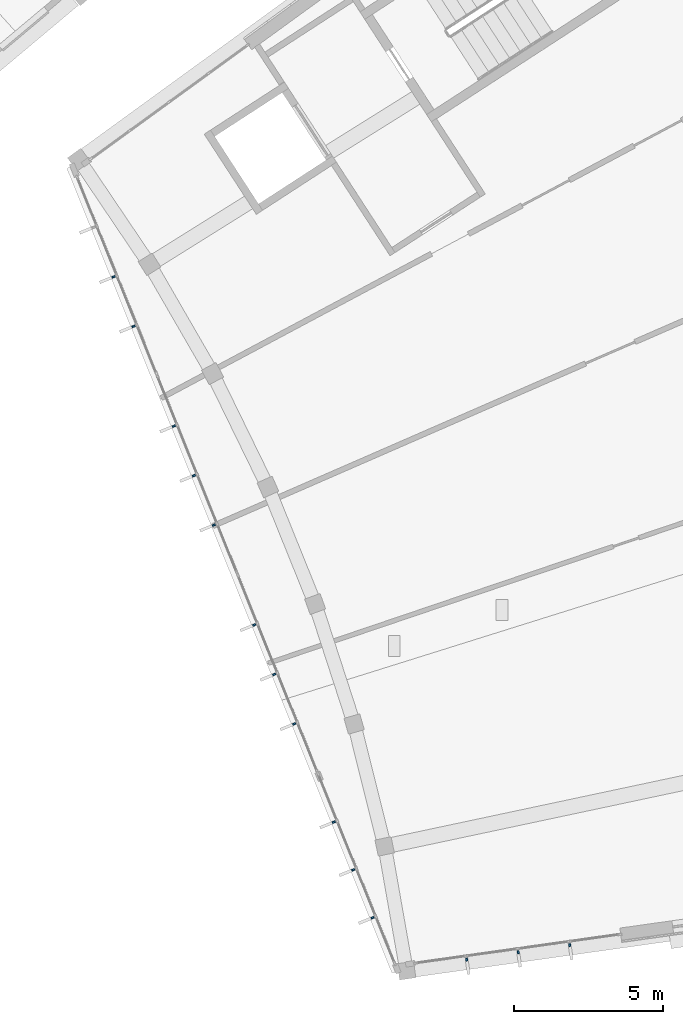
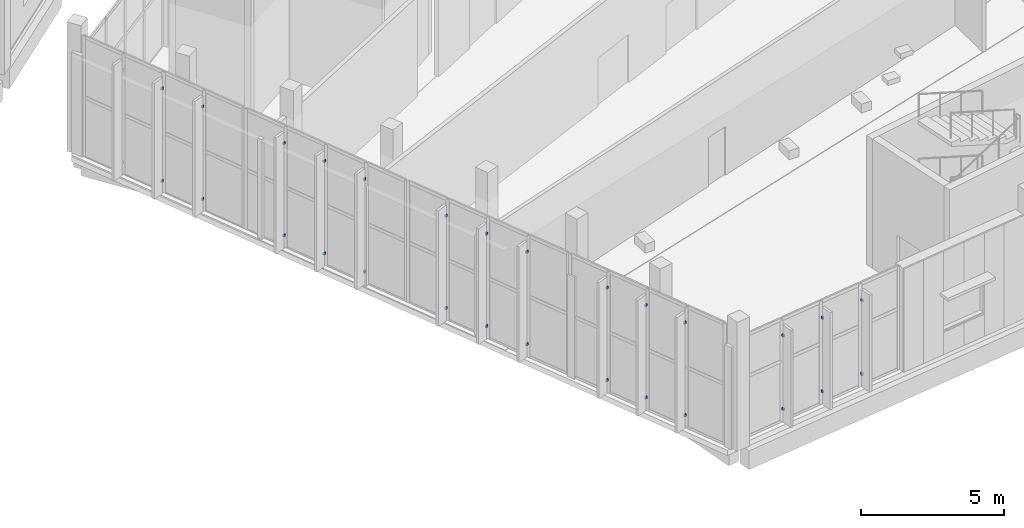
# One storey, part 54 of 87: 28 discrete accessories.
"""IFC4 building model written with IfcOpenShell, lengths in metres."""

from ifc_helpers import new_model, si_unit, direction, frame, origin, origin_2d, place, context, subcontext, project, spatial, rectangle, extrude, material, type_object, element, save


model = new_model("IFC4")

# Units and contexts
model_context = context("Model", 3, precision=1e-05, world=origin(), true_north=direction((0.0, 1.0)))
body_context = subcontext(model_context, "Body", "Model", "MODEL_VIEW")
ifc_project = project(units=[si_unit("LENGTHUNIT", "METRE"), si_unit("AREAUNIT", "SQUARE_METRE"), si_unit("VOLUMEUNIT", "CUBIC_METRE"), si_unit("PLANEANGLEUNIT", "RADIAN"), si_unit("MASSUNIT", "GRAM", prefix="KILO")], contexts=[model_context])

# Site, building, storey
site_placement = place(None, origin())
site = spatial("IfcSite", under=ifc_project, at=site_placement, CompositionType="ELEMENT")
building_placement = place(site_placement, origin())
building = spatial("IfcBuilding", under=site, at=building_placement, Name="Lunette Opera House", CompositionType="ELEMENT")
storey_placement = place(building_placement, frame((0.0, 0.0, 11.5)))
storey = spatial("IfcBuildingStorey", under=building, at=storey_placement, Name="L02", CompositionType="ELEMENT", Elevation=11.5)

# Discrete accessories
ifc_material = material(Name="Galvanised steel", Category="steel")
discrete_accessory_type = type_object("IfcDiscreteAccessoryType", Name="FIN BRACKET STEEL", PredefinedType="BRACKET", material=ifc_material)
for number, where, z_axis, x_axis, name in (
    (1, (146.10302734375, 31.64208984375, 0.56494140625), (0.0, 0.0, 1.0), (-0.927168162269, -0.374645430874, 0.0), "Fin bracket SB-X2013 2 1"),
    (2, (146.10302734375, 31.64208984375, 4.5), (0.0, 0.0, 1.0), (-0.927168162269, -0.374645430874, 0.0), "Fin bracket SB-X2013 2 2"),
    (3, (146.77197265625, 29.985107421875, 0.56494140625), (0.0, 0.0, 1.0), (-0.927168162269, -0.374645430874, 0.0), "Fin bracket SB-X2013 3 1"),
    (4, (146.77197265625, 29.985107421875, 4.5), (0.0, 0.0, 1.0), (-0.927168162269, -0.374645430874, 0.0), "Fin bracket SB-X2013 3 2"),
    (5, (148.1220703125, 26.64501953125, 0.56494140625), (0.0, 0.0, 1.0), (-0.927187777387, -0.374596883949, 0.0), "Fin bracket SB-X2014 1 1"),
    (6, (148.1220703125, 26.64501953125, 4.5), (0.0, 0.0, 1.0), (-0.927187777387, -0.374596883949, 0.0), "Fin bracket SB-X2014 1 2"),
    (7, (148.791015625, 24.988037109375, 0.56494140625), (0.0, 0.0, 1.0), (-0.927187777387, -0.374596883949, 0.0), "Fin bracket SB-X2014 2 1"),
    (8, (148.791015625, 24.988037109375, 4.5), (0.0, 0.0, 1.0), (-0.927187777387, -0.374596883949, 0.0), "Fin bracket SB-X2014 2 2"),
    (9, (149.4599609375, 23.33203125, 0.56494140625), (0.0, 0.0, 1.0), (-0.927187777387, -0.374596883949, 0.0), "Fin bracket SB-X2014 3 1"),
    (10, (149.4599609375, 23.33203125, 4.5), (0.0, 0.0, 1.0), (-0.927187777387, -0.374596883949, 0.0), "Fin bracket SB-X2014 3 2"),
    (11, (150.81005859375, 19.990966796875, 0.56494140625), (0.0, 0.0, 1.0), (-0.927168162269, -0.374645430874, 0.0), "Fin bracket SB-X2015 1 1"),
    (12, (150.81005859375, 19.990966796875, 4.5), (0.0, 0.0, 1.0), (-0.927168162269, -0.374645430874, 0.0), "Fin bracket SB-X2015 1 2"),
    (13, (151.47900390625, 18.3349609375, 0.56494140625), (0.0, 0.0, 1.0), (-0.927168162269, -0.374645430874, 0.0), "Fin bracket SB-X2015 2 1"),
    (14, (151.47900390625, 18.3349609375, 4.5), (0.0, 0.0, 1.0), (-0.927168162269, -0.374645430874, 0.0), "Fin bracket SB-X2015 2 2"),
    (15, (152.14794921875, 16.677978515625, 0.56494140625), (0.0, 0.0, 1.0), (-0.927168162269, -0.374645430874, 0.0), "Fin bracket SB-X2015 3 1"),
    (16, (152.14794921875, 16.677978515625, 4.5), (0.0, 0.0, 1.0), (-0.927168162269, -0.374645430874, 0.0), "Fin bracket SB-X2015 3 2"),
    (17, (153.47509765625, 13.39306640625, 0.56494140625), (0.0, 0.0, 1.0), (-0.927182546937, -0.374609829896, 0.0), "Fin bracket SB-X2016 1 1"),
    (18, (153.47509765625, 13.39306640625, 4.5), (0.0, 0.0, 1.0), (-0.927182546937, -0.374609829896, 0.0), "Fin bracket SB-X2016 1 2"),
    (19, (154.1220703125, 11.79296875, 0.56494140625), (0.0, 0.0, 1.0), (-0.927182546937, -0.374609829896, 0.0), "Fin bracket SB-X2016 2 1"),
    (20, (154.1220703125, 11.79296875, 4.5), (0.0, 0.0, 1.0), (-0.927182546937, -0.374609829896, 0.0), "Fin bracket SB-X2016 2 2"),
    (21, (154.76904296875, 10.19189453125, 0.56494140625), (0.0, 0.0, 1.0), (-0.927182546937, -0.374609829896, 0.0), "Fin bracket SB-X2016 3 1"),
    (22, (154.76904296875, 10.19189453125, 4.5), (0.0, 0.0, 1.0), (-0.927182546937, -0.374609829896, 0.0), "Fin bracket SB-X2016 3 2"),
    (23, (157.924072265625, 8.79296875, 0.56494140625), (0.0, 0.0, 1.0), (0.139209396087, -0.990262967116, 0.0), "Fin bracket SB-X2017 1 1"),
    (24, (157.924072265625, 8.79296875, 3.699951171875), (0.0, 0.0, 1.0), (0.139209396087, -0.990262967116, 0.0), "Fin bracket SB-X2017 1 2"),
    (25, (159.64697265625, 9.035888671875, 0.56494140625), (0.0, 0.0, 1.0), (0.139209396087, -0.990262967116, 0.0), "Fin bracket SB-X2017 2 1"),
    (26, (159.64697265625, 9.035888671875, 3.699951171875), (0.0, 0.0, 1.0), (0.139209396087, -0.990262967116, 0.0), "Fin bracket SB-X2017 2 2"),
    (27, (161.3701171875, 9.278076171875, 0.56494140625), (0.0, 0.0, 1.0), (0.139209396087, -0.990262967116, 0.0), "Fin bracket SB-X2017 3 1"),
    (28, (161.3701171875, 9.278076171875, 3.699951171875), (0.0, 0.0, 1.0), (0.139209396087, -0.990262967116, 0.0), "Fin bracket SB-X2017 3 2"),
):
    element("IfcDiscreteAccessory", number, at=place(storey_placement, frame(where, z_axis=z_axis, x_axis=x_axis)), inside=storey, type_object=discrete_accessory_type, Name=name, PredefinedType="BRACKET", context=body_context, shape_type="SweptSolid", body=[
        extrude(rectangle(XDim=0.10009765625, YDim=0.06005859375, at=origin_2d()), origin(), (0.0, 0.0, 1.0), 0.10009765625),
    ])

save(model, "model.ifc")
